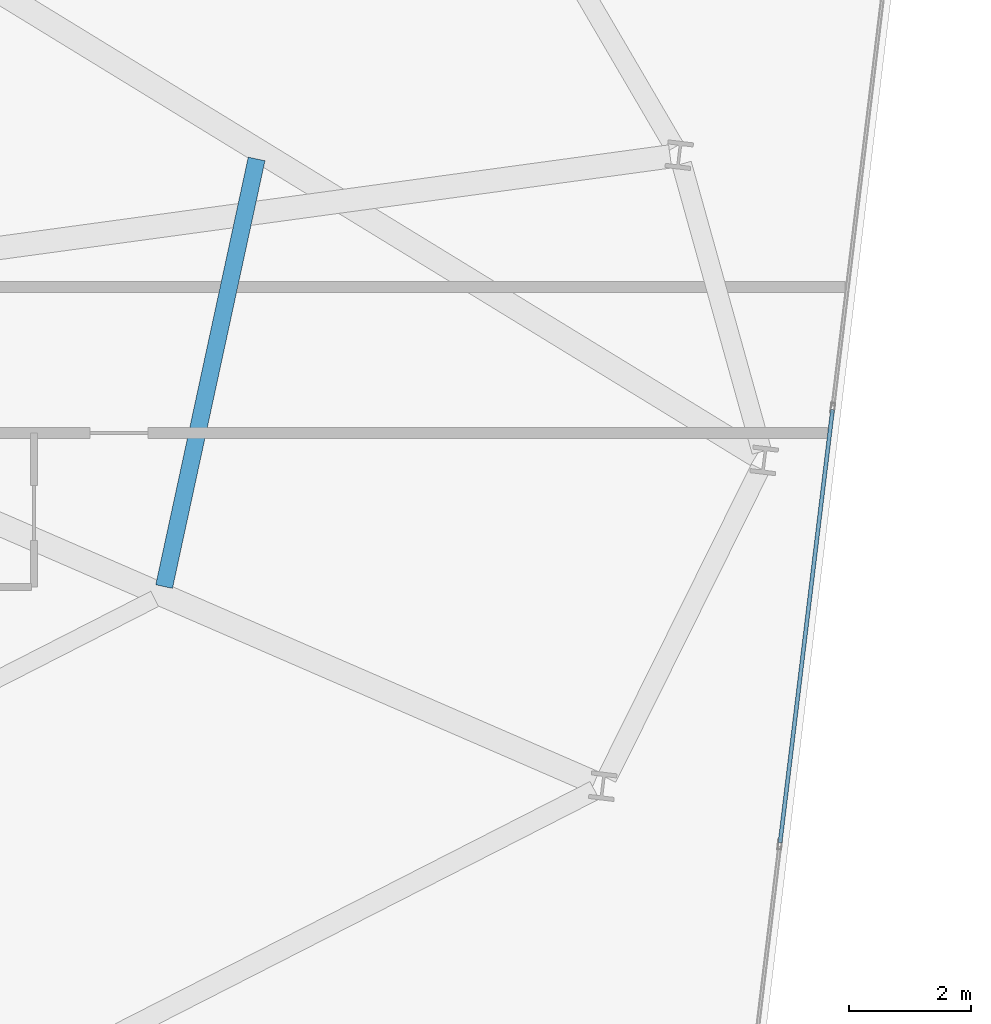
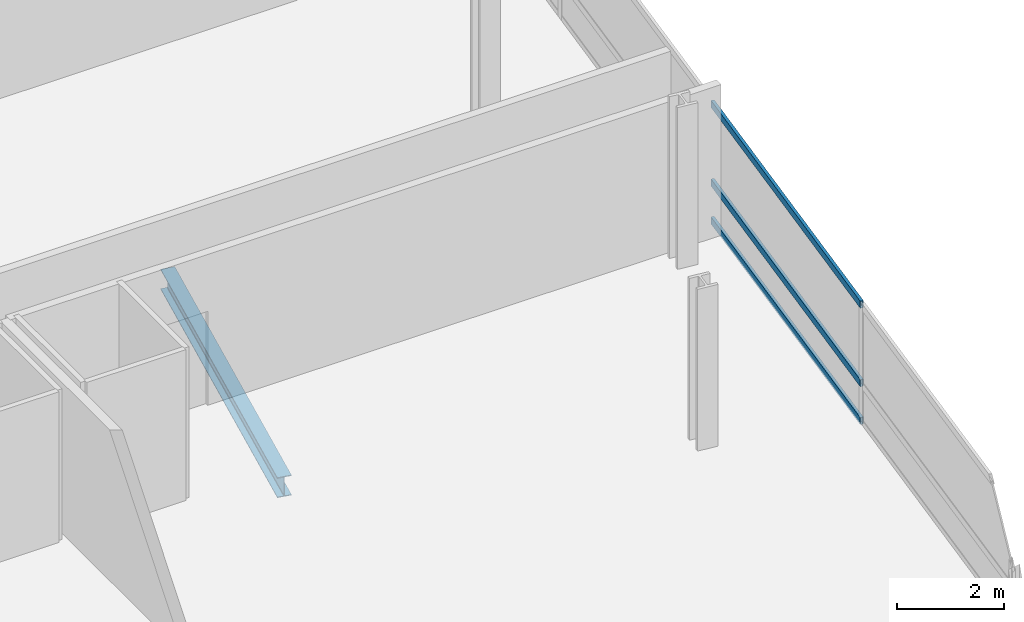
# One storey, part 15 of 26: 3 members, 1 beam, 1 element without a shape of its own.
"""IFC4 building model written with IfcOpenShell, lengths in metres."""

from ifc_helpers import new_model, si_unit, direction, frame, origin, origin_2d, place, context, subcontext, project, spatial, hollow_rectangle, i_section, extrude, material, layer, layer_set, material_profile, profile_set, type_object, element, aggregate, save


model = new_model("IFC4")

# Units and contexts
model_context = context("Model", 3, precision=1e-05, world=origin(), true_north=direction((0.0, 1.0)))
body_context = subcontext(model_context, "Body", "Model", "MODEL_VIEW")
ifc_project = project(units=[si_unit("LENGTHUNIT", "METRE"), si_unit("AREAUNIT", "SQUARE_METRE"), si_unit("VOLUMEUNIT", "CUBIC_METRE"), si_unit("PLANEANGLEUNIT", "RADIAN"), si_unit("MASSUNIT", "GRAM", prefix="KILO")], contexts=[model_context])

# Site, building, storey
site_placement = place(None, origin())
site = spatial("IfcSite", under=ifc_project, at=site_placement, CompositionType="ELEMENT")
building_placement = place(site_placement, origin())
building = spatial("IfcBuilding", under=site, at=building_placement, Name="Varnelok Gate Tower", CompositionType="ELEMENT")
storey_placement = place(building_placement, frame((0.0, 0.0, 125.39990234375)))
storey = spatial("IfcBuildingStorey", under=building, at=storey_placement, Name="L31", CompositionType="ELEMENT", Elevation=125.39990234375)

# Beam
ifc_material_1 = material(Name="Structural Steel ASTM A992 Grade 50", Category="steel")
ifc_material_profile_1 = material_profile(ifc_material_1, i_section(OverallWidth=0.280029296875, OverallDepth=0.462890625, WebThickness=0.0107421875, FlangeThickness=0.017333984375, FilletRadius=0.014892578125, at=origin_2d()), Name="W18X76")
ifc_profile_set_1 = profile_set([ifc_material_profile_1], Name="Structural Steel ASTM A992 Grade 50")
beam_type = type_object("IfcBeamType", Name="BM-JST-W18X76", PredefinedType="JOIST", material=ifc_profile_set_1)
beam_placement = place(storey_placement, frame((64.616455078125, 14.340087890625, -0.4814453125), z_axis=(0.211387389946, 0.977402358997, 0.0), x_axis=(-0.977402358997, 0.211387389946, 0.0)))
element("IfcBeam", 1, at=beam_placement, inside=storey, type_object=beam_type, Name="L31 Sector Floor Joist 6", PredefinedType="JOIST", context=body_context, shape_type="SweptSolid", body=[
    extrude(i_section(OverallWidth=0.280029296875, OverallDepth=0.462890625, WebThickness=0.0107421875, FlangeThickness=0.017333984375, FilletRadius=0.014892578125, at=origin_2d()), origin(), (0.0, 0.0, 1.0), 7.158447265625),
])

# Curtain wall, members
ifc_material_2 = material(Name="Anodized Aluminum Alloy 6063-T6", Category="aluminium")
ifc_layer = layer(ifc_material_2, 0.179931640625)
ifc_layer_set = layer_set([ifc_layer], Name="Anodized Aluminum Alloy 6063-T6")
curtain_wall_type = type_object("IfcCurtainWallType", Name="CW3-HOTEL-VISION", PredefinedType="USERDEFINED", material=ifc_layer_set)
curtain_wall_placement = place(storey_placement, origin())
curtain_wall = element("IfcCurtainWall", 2, at=curtain_wall_placement, inside=storey, type_object=curtain_wall_type, Name="L31 East End Vision Curtain Wall", ObjectType="UNITISED CURTAIN WALL", PredefinedType="USERDEFINED")
ifc_material_profile_2 = material_profile(ifc_material_2, hollow_rectangle(XDim=0.06494140625, YDim=0.159912109375, WallThickness=0.00390625, at=origin_2d()), Name="ALU160X65X4")
ifc_profile_set_2 = profile_set([ifc_material_profile_2], Name="Anodized Aluminum Alloy 6063-T6")
member_type = type_object("IfcMemberType", Name="CW-TRAN-160", PredefinedType="USERDEFINED", material=ifc_profile_set_2)
member_1_placement = place(storey_placement, frame((75.553466796875, 17.23388671875, 0.03271484375), z_axis=(-0.120340564253, -0.992732667235, 0.0), x_axis=(0.992732667235, -0.120340564253, 0.0)))
member_1 = element("IfcMember", 3, at=member_1_placement, type_object=member_type, Name="CW3 transom 4.1", ObjectType="TRANSOM", PredefinedType="USERDEFINED", context=body_context, shape_type="SweptSolid", body=[
    extrude(hollow_rectangle(XDim=0.06494140625, YDim=0.159912109375, WallThickness=0.00390625, at=origin_2d()), origin(), (0.0, 0.0, 1.0), 7.135009765625),
])
member_2_placement = place(storey_placement, frame((75.553466796875, 17.23388671875, 0.900146484375), z_axis=(-0.120340564253, -0.992732667235, 0.0), x_axis=(0.992732667235, -0.120340564253, 0.0)))
member_2 = element("IfcMember", 4, at=member_2_placement, type_object=member_type, Name="CW3 transom 4.2", ObjectType="TRANSOM", PredefinedType="USERDEFINED", context=body_context, shape_type="SweptSolid", body=[
    extrude(hollow_rectangle(XDim=0.06494140625, YDim=0.159912109375, WallThickness=0.00390625, at=origin_2d()), origin(), (0.0, 0.0, 1.0), 7.135009765625),
])
member_3_placement = place(storey_placement, frame((75.553466796875, 17.23388671875, 2.697509765625), z_axis=(-0.120340564253, -0.992732667235, 0.0), x_axis=(0.992732667235, -0.120340564253, 0.0)))
member_3 = element("IfcMember", 5, at=member_3_placement, type_object=member_type, Name="CW3 transom 4.3", ObjectType="TRANSOM", PredefinedType="USERDEFINED", context=body_context, shape_type="SweptSolid", body=[
    extrude(hollow_rectangle(XDim=0.06494140625, YDim=0.159912109375, WallThickness=0.00390625, at=origin_2d()), origin(), (0.0, 0.0, 1.0), 7.135009765625),
])
aggregate(curtain_wall, [member_1, member_2, member_3])

save(model, "model.ifc")
